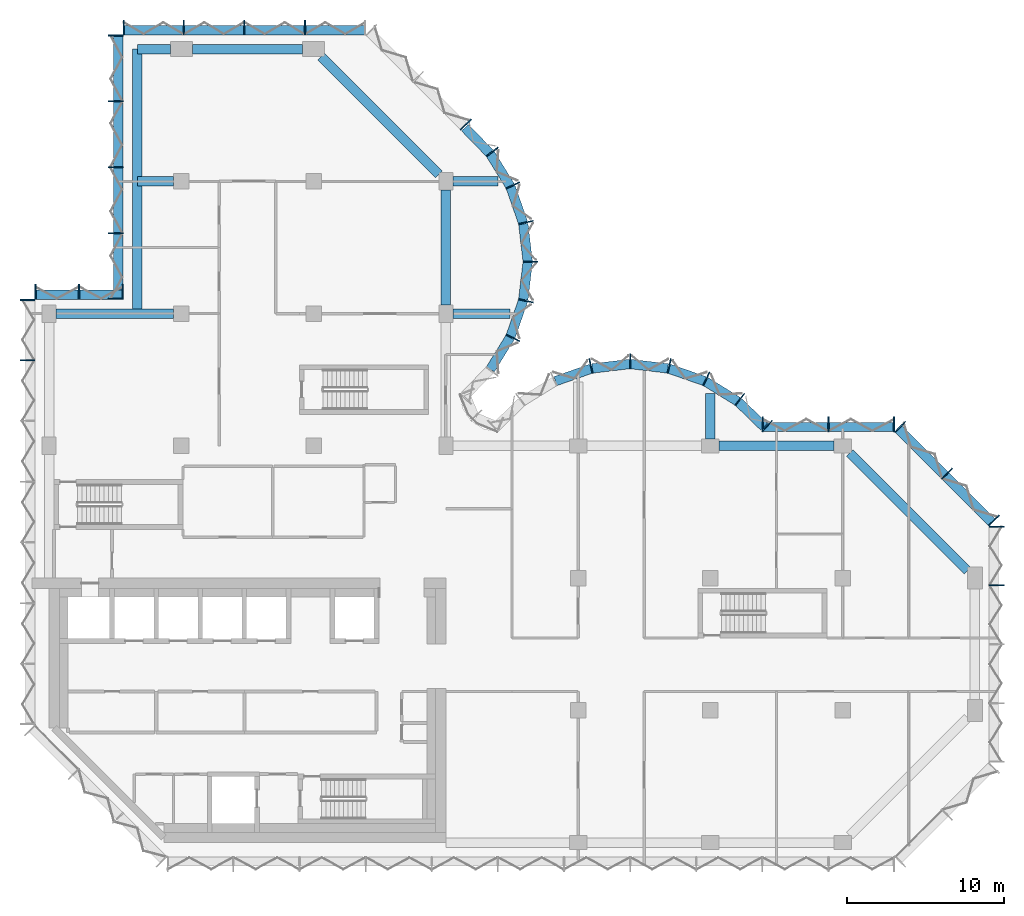
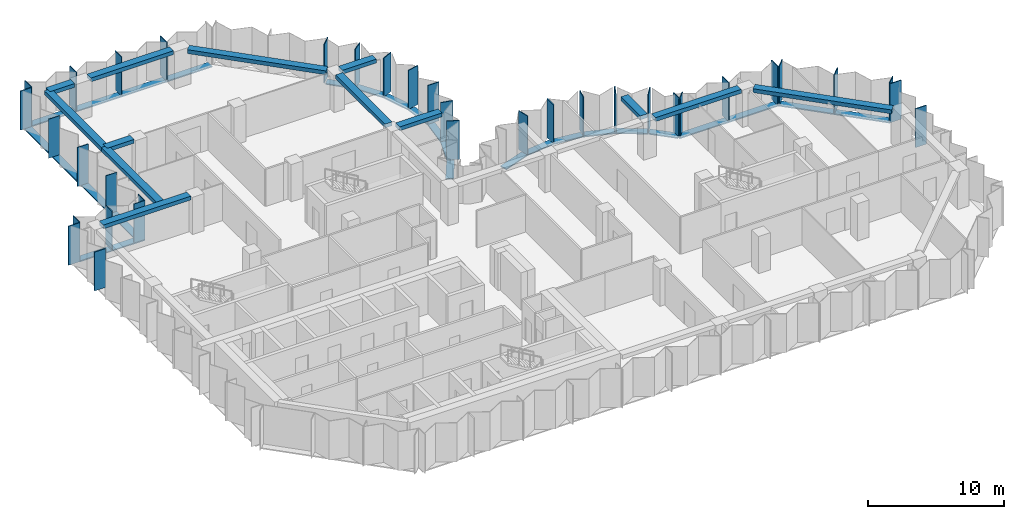
# One storey, part 2 of 10: 53 members, 13 beams, 9 elements without a shape of their own.
"""IFC4 building model written with IfcOpenShell, lengths in metres."""

from ifc_helpers import new_model, si_unit, direction, frame, origin, origin_2d, place, context, subcontext, project, spatial, rectangle, extrude, material, material_profile, profile_set, type_object, element, aggregate, save


model = new_model("IFC4")

# Units and contexts
model_context = context("Model", 3, precision=1e-05, world=origin(), true_north=direction((0.0, 1.0)))
body_context = subcontext(model_context, "Body", "Model", "MODEL_VIEW")
ifc_project = project(units=[si_unit("LENGTHUNIT", "METRE"), si_unit("AREAUNIT", "SQUARE_METRE"), si_unit("VOLUMEUNIT", "CUBIC_METRE"), si_unit("PLANEANGLEUNIT", "RADIAN"), si_unit("MASSUNIT", "GRAM", prefix="KILO")], contexts=[model_context])

# Site, building, storey
site_placement = place(None, origin())
site = spatial("IfcSite", under=ifc_project, at=site_placement, CompositionType="ELEMENT")
building_placement = place(site_placement, origin())
building = spatial("IfcBuilding", under=site, at=building_placement, Name="Brevane Broadcast Tower", CompositionType="ELEMENT")
storey_placement = place(building_placement, frame((0.0, 0.0, 177.60009765625)))
storey = spatial("IfcBuildingStorey", under=building, at=storey_placement, Name="L44", CompositionType="ELEMENT", Elevation=177.60009765625)

# Curtain wall, members
ifc_material_1 = material(Name="Aluminium 6063-T6 bronze anodised", Category="aluminium")
curtain_wall_type = type_object("IfcCurtainWallType", Name="CW-1 curtain wall", PredefinedType="NOTDEFINED", material=ifc_material_1)
curtain_wall_1_placement = place(storey_placement, origin())
curtain_wall_1 = element("IfcCurtainWall", 1, at=curtain_wall_1_placement, inside=storey, type_object=curtain_wall_type, Name="CW-1 typical tilted unit L44 east end", PredefinedType="NOTDEFINED")
ifc_material_profile_1 = material_profile(ifc_material_1, rectangle(XDim=0.949951171875, YDim=0.070068359375, at=origin_2d()), Name="RECT 70x950")
ifc_profile_set_1 = profile_set([ifc_material_profile_1], Name="Aluminium 6063-T6 bronze anodised")
member_type_1 = type_object("IfcMemberType", Name="CW-1 mullion 70x950", PredefinedType="MULLION", material=ifc_profile_set_1)
member_1_placement = place(storey_placement, frame((60.175048828125, 16.35009765625, -0.150146484375), z_axis=(0.0, 0.0, 1.0), x_axis=(-1.0, 0.0, 0.0)))
member_1 = element("IfcMember", 2, at=member_1_placement, type_object=member_type_1, Name="CW-1 mullion", PredefinedType="MULLION", context=body_context, shape_type="SweptSolid", body=[
    extrude(rectangle(XDim=0.949951171875, YDim=0.070068359375, at=origin_2d()), origin(), (0.0, 0.0, 1.0), 3.5),
])
member_2_placement = place(storey_placement, frame((60.175048828125, 20.06494140625, -0.150146484375), z_axis=(0.0, 0.0, 1.0), x_axis=(-1.0, 0.0, 0.0)))
member_2 = element("IfcMember", 3, at=member_2_placement, type_object=member_type_1, Name="CW-1 mullion", PredefinedType="MULLION", context=body_context, shape_type="SweptSolid", body=[
    extrude(rectangle(XDim=0.949951171875, YDim=0.070068359375, at=origin_2d()), origin(), (0.0, 0.0, 1.0), 3.5),
])
aggregate(curtain_wall_1, [member_1, member_2])

curtain_wall_2_placement = place(storey_placement, origin())
curtain_wall_2 = element("IfcCurtainWall", 4, at=curtain_wall_2_placement, inside=storey, type_object=curtain_wall_type, Name="CW-1 typical tilted unit L44 north-east chamfer", PredefinedType="NOTDEFINED")
member_3_placement = place(storey_placement, frame((60.01123046875, 20.460693359375, -0.150146484375), z_axis=(0.0, 0.0, 1.0), x_axis=(-0.707106781187, -0.707106781187, 0.0)))
member_3 = element("IfcMember", 5, at=member_3_placement, type_object=member_type_1, Name="CW-1 mullion", PredefinedType="MULLION", context=body_context, shape_type="SweptSolid", body=[
    extrude(rectangle(XDim=0.949951171875, YDim=0.070068359375, at=origin_2d()), origin(), (0.0, 0.0, 1.0), 3.5),
])
member_4_placement = place(storey_placement, frame((57.035888671875, 23.435791015625, -0.150146484375), z_axis=(0.0, 0.0, 1.0), x_axis=(-0.707106781187, -0.707106781187, 0.0)))
member_4 = element("IfcMember", 6, at=member_4_placement, type_object=member_type_1, Name="CW-1 mullion", PredefinedType="MULLION", context=body_context, shape_type="SweptSolid", body=[
    extrude(rectangle(XDim=0.949951171875, YDim=0.070068359375, at=origin_2d()), origin(), (0.0, 0.0, 1.0), 3.5),
])
member_5_placement = place(storey_placement, frame((54.060546875, 26.4111328125, -0.150146484375), z_axis=(0.0, 0.0, 1.0), x_axis=(-0.707106781187, -0.707106781187, 0.0)))
member_5 = element("IfcMember", 7, at=member_5_placement, type_object=member_type_1, Name="CW-1 mullion", PredefinedType="MULLION", context=body_context, shape_type="SweptSolid", body=[
    extrude(rectangle(XDim=0.949951171875, YDim=0.070068359375, at=origin_2d()), origin(), (0.0, 0.0, 1.0), 3.5),
])

curtain_wall_3_placement = place(storey_placement, origin())
curtain_wall_3 = element("IfcCurtainWall", 8, at=curtain_wall_3_placement, inside=storey, type_object=curtain_wall_type, Name="CW-1 typical tilted unit L44 east arm north face", PredefinedType="NOTDEFINED")
member_6_placement = place(storey_placement, frame((53.6650390625, 26.574951171875, -0.150146484375), z_axis=(0.0, 0.0, 1.0), x_axis=(0.0, -1.0, 0.0)))
member_6 = element("IfcMember", 9, at=member_6_placement, type_object=member_type_1, Name="CW-1 mullion", PredefinedType="MULLION", context=body_context, shape_type="SweptSolid", body=[
    extrude(rectangle(XDim=0.949951171875, YDim=0.070068359375, at=origin_2d()), origin(), (0.0, 0.0, 1.0), 3.5),
])
member_7_placement = place(storey_placement, frame((49.5, 26.574951171875, -0.150146484375), z_axis=(0.0, 0.0, 1.0), x_axis=(0.0, -1.0, 0.0)))
member_7 = element("IfcMember", 10, at=member_7_placement, type_object=member_type_1, Name="CW-1 mullion", PredefinedType="MULLION", context=body_context, shape_type="SweptSolid", body=[
    extrude(rectangle(XDim=0.949951171875, YDim=0.070068359375, at=origin_2d()), origin(), (0.0, 0.0, 1.0), 3.5),
])
member_8_placement = place(storey_placement, frame((45.3349609375, 26.574951171875, -0.150146484375), z_axis=(0.0, 0.0, 1.0), x_axis=(0.0, -1.0, 0.0)))
member_8 = element("IfcMember", 11, at=member_8_placement, type_object=member_type_1, Name="CW-1 mullion", PredefinedType="MULLION", context=body_context, shape_type="SweptSolid", body=[
    extrude(rectangle(XDim=0.949951171875, YDim=0.070068359375, at=origin_2d()), origin(), (0.0, 0.0, 1.0), 3.5),
])

curtain_wall_4_placement = place(storey_placement, origin())
curtain_wall_4 = element("IfcCurtainWall", 12, at=curtain_wall_4_placement, inside=storey, type_object=curtain_wall_type, Name="CW-1 typical tilted unit L44 east bow", PredefinedType="NOTDEFINED")
member_9_placement = place(storey_placement, frame((45.60595703125, 26.465087890625, -0.150146484375), z_axis=(0.0, 0.0, 1.0), x_axis=(-0.696812089895, -0.717253728729, 0.0)))
member_9 = element("IfcMember", 13, at=member_9_placement, type_object=member_type_1, Name="CW-1 mullion", PredefinedType="MULLION", context=body_context, shape_type="SweptSolid", body=[
    extrude(rectangle(XDim=0.949951171875, YDim=0.070068359375, at=origin_2d()), origin(), (0.0, 0.0, 1.0), 3.5),
])
member_10_placement = place(storey_placement, frame((43.8720703125, 28.1455078125, -0.150146484375), z_axis=(0.0, 0.0, 1.0), x_axis=(-0.614769698862, -0.788706673841, 0.0)))
member_10 = element("IfcMember", 14, at=member_10_placement, type_object=member_type_1, Name="CW-1 mullion", PredefinedType="MULLION", context=body_context, shape_type="SweptSolid", body=[
    extrude(rectangle(XDim=0.949951171875, YDim=0.070068359375, at=origin_2d()), origin(), (0.0, 0.0, 1.0), 3.5),
])
member_11_placement = place(storey_placement, frame((41.746826171875, 29.4580078125, -0.150146484375), z_axis=(0.0, 0.0, 1.0), x_axis=(-0.429933580394, -0.902860518823, 0.0)))
member_11 = element("IfcMember", 15, at=member_11_placement, type_object=member_type_1, Name="CW-1 mullion", PredefinedType="MULLION", context=body_context, shape_type="SweptSolid", body=[
    extrude(rectangle(XDim=0.949951171875, YDim=0.070068359375, at=origin_2d()), origin(), (0.0, 0.0, 1.0), 3.5),
])
member_12_placement = place(storey_placement, frame((39.38818359375, 30.28076171875, -0.150146484375), z_axis=(0.0, 0.0, 1.0), x_axis=(-0.224806535479, -0.974403418306, 0.0)))
member_12 = element("IfcMember", 16, at=member_12_placement, type_object=member_type_1, Name="CW-1 mullion", PredefinedType="MULLION", context=body_context, shape_type="SweptSolid", body=[
    extrude(rectangle(XDim=0.949951171875, YDim=0.070068359375, at=origin_2d()), origin(), (0.0, 0.0, 1.0), 3.5),
])
member_13_placement = place(storey_placement, frame((36.89990234375, 30.574951171875, -0.150146484375), z_axis=(0.0, 0.0, 1.0), x_axis=(0.0, -1.0, 0.0)))
member_13 = element("IfcMember", 17, at=member_13_placement, type_object=member_type_1, Name="CW-1 mullion", PredefinedType="MULLION", context=body_context, shape_type="SweptSolid", body=[
    extrude(rectangle(XDim=0.949951171875, YDim=0.070068359375, at=origin_2d()), origin(), (0.0, 0.0, 1.0), 3.5),
])
member_14_placement = place(storey_placement, frame((34.411865234375, 30.28076171875, -0.150146484375), z_axis=(0.0, 0.0, 1.0), x_axis=(0.224806535479, -0.974403418306, 0.0)))
member_14 = element("IfcMember", 18, at=member_14_placement, type_object=member_type_1, Name="CW-1 mullion", PredefinedType="MULLION", context=body_context, shape_type="SweptSolid", body=[
    extrude(rectangle(XDim=0.949951171875, YDim=0.070068359375, at=origin_2d()), origin(), (0.0, 0.0, 1.0), 3.5),
])

curtain_wall_5_placement = place(storey_placement, origin())
curtain_wall_5 = element("IfcCurtainWall", 19, at=curtain_wall_5_placement, inside=storey, type_object=curtain_wall_type, Name="CW-1 typical tilted unit L44 north bow", PredefinedType="NOTDEFINED")
member_15_placement = place(storey_placement, frame((29.4580078125, 32.05322265625, -0.150146484375), z_axis=(0.0, 0.0, 1.0), x_axis=(-0.902860518823, 0.429933580394, 0.0)))
member_15 = element("IfcMember", 20, at=member_15_placement, type_object=member_type_1, Name="CW-1 mullion", PredefinedType="MULLION", context=body_context, shape_type="SweptSolid", body=[
    extrude(rectangle(XDim=0.949951171875, YDim=0.070068359375, at=origin_2d()), origin(), (0.0, 0.0, 1.0), 3.5),
])
member_16_placement = place(storey_placement, frame((30.28076171875, 34.411865234375, -0.150146484375), z_axis=(0.0, 0.0, 1.0), x_axis=(-0.974403418306, 0.224806535479, 0.0)))
member_16 = element("IfcMember", 21, at=member_16_placement, type_object=member_type_1, Name="CW-1 mullion", PredefinedType="MULLION", context=body_context, shape_type="SweptSolid", body=[
    extrude(rectangle(XDim=0.949951171875, YDim=0.070068359375, at=origin_2d()), origin(), (0.0, 0.0, 1.0), 3.5),
])
member_17_placement = place(storey_placement, frame((30.574951171875, 36.89990234375, -0.150146484375), z_axis=(0.0, 0.0, 1.0), x_axis=(-1.0, 0.0, 0.0)))
member_17 = element("IfcMember", 22, at=member_17_placement, type_object=member_type_1, Name="CW-1 mullion", PredefinedType="MULLION", context=body_context, shape_type="SweptSolid", body=[
    extrude(rectangle(XDim=0.949951171875, YDim=0.070068359375, at=origin_2d()), origin(), (0.0, 0.0, 1.0), 3.5),
])
member_18_placement = place(storey_placement, frame((30.28076171875, 39.38818359375, -0.150146484375), z_axis=(0.0, 0.0, 1.0), x_axis=(-0.974403418306, -0.224806535479, 0.0)))
member_18 = element("IfcMember", 23, at=member_18_placement, type_object=member_type_1, Name="CW-1 mullion", PredefinedType="MULLION", context=body_context, shape_type="SweptSolid", body=[
    extrude(rectangle(XDim=0.949951171875, YDim=0.070068359375, at=origin_2d()), origin(), (0.0, 0.0, 1.0), 3.5),
])
member_19_placement = place(storey_placement, frame((29.4580078125, 41.746826171875, -0.150146484375), z_axis=(0.0, 0.0, 1.0), x_axis=(-0.902860518823, -0.429933580394, 0.0)))
member_19 = element("IfcMember", 24, at=member_19_placement, type_object=member_type_1, Name="CW-1 mullion", PredefinedType="MULLION", context=body_context, shape_type="SweptSolid", body=[
    extrude(rectangle(XDim=0.949951171875, YDim=0.070068359375, at=origin_2d()), origin(), (0.0, 0.0, 1.0), 3.5),
])
member_20_placement = place(storey_placement, frame((28.1455078125, 43.8720703125, -0.150146484375), z_axis=(0.0, 0.0, 1.0), x_axis=(-0.788706673841, -0.614769698862, 0.0)))
member_20 = element("IfcMember", 25, at=member_20_placement, type_object=member_type_1, Name="CW-1 mullion", PredefinedType="MULLION", context=body_context, shape_type="SweptSolid", body=[
    extrude(rectangle(XDim=0.949951171875, YDim=0.070068359375, at=origin_2d()), origin(), (0.0, 0.0, 1.0), 3.5),
])
member_21_placement = place(storey_placement, frame((26.465087890625, 45.60595703125, -0.150146484375), z_axis=(0.0, 0.0, 1.0), x_axis=(-0.717253728729, -0.696812089895, 0.0)))
member_21 = element("IfcMember", 26, at=member_21_placement, type_object=member_type_1, Name="CW-1 mullion", PredefinedType="MULLION", context=body_context, shape_type="SweptSolid", body=[
    extrude(rectangle(XDim=0.949951171875, YDim=0.070068359375, at=origin_2d()), origin(), (0.0, 0.0, 1.0), 3.5),
])

curtain_wall_6_placement = place(storey_placement, origin())
curtain_wall_6 = element("IfcCurtainWall", 27, at=curtain_wall_6_placement, inside=storey, type_object=curtain_wall_type, Name="CW-1 typical tilted unit L44 north end", PredefinedType="NOTDEFINED")
member_22_placement = place(storey_placement, frame((16.25, 51.77490234375, -0.150146484375), z_axis=(0.0, 0.0, 1.0), x_axis=(0.0, -1.0, 0.0)))
member_22 = element("IfcMember", 28, at=member_22_placement, type_object=member_type_1, Name="CW-1 mullion", PredefinedType="MULLION", context=body_context, shape_type="SweptSolid", body=[
    extrude(rectangle(XDim=0.949951171875, YDim=0.070068359375, at=origin_2d()), origin(), (0.0, 0.0, 1.0), 3.5),
])
member_23_placement = place(storey_placement, frame((12.39990234375, 51.77490234375, -0.150146484375), z_axis=(0.0, 0.0, 1.0), x_axis=(0.0, -1.0, 0.0)))
member_23 = element("IfcMember", 29, at=member_23_placement, type_object=member_type_1, Name="CW-1 mullion", PredefinedType="MULLION", context=body_context, shape_type="SweptSolid", body=[
    extrude(rectangle(XDim=0.949951171875, YDim=0.070068359375, at=origin_2d()), origin(), (0.0, 0.0, 1.0), 3.5),
])
member_24_placement = place(storey_placement, frame((8.550048828125, 51.77490234375, -0.150146484375), z_axis=(0.0, 0.0, 1.0), x_axis=(0.0, -1.0, 0.0)))
member_24 = element("IfcMember", 30, at=member_24_placement, type_object=member_type_1, Name="CW-1 mullion", PredefinedType="MULLION", context=body_context, shape_type="SweptSolid", body=[
    extrude(rectangle(XDim=0.949951171875, YDim=0.070068359375, at=origin_2d()), origin(), (0.0, 0.0, 1.0), 3.5),
])
member_25_placement = place(storey_placement, frame((4.735107421875, 51.77490234375, -0.150146484375), z_axis=(0.0, 0.0, 1.0), x_axis=(0.0, -1.0, 0.0)))
member_25 = element("IfcMember", 31, at=member_25_placement, type_object=member_type_1, Name="CW-1 mullion", PredefinedType="MULLION", context=body_context, shape_type="SweptSolid", body=[
    extrude(rectangle(XDim=0.949951171875, YDim=0.070068359375, at=origin_2d()), origin(), (0.0, 0.0, 1.0), 3.5),
])

curtain_wall_7_placement = place(storey_placement, origin())
curtain_wall_7 = element("IfcCurtainWall", 32, at=curtain_wall_7_placement, inside=storey, type_object=curtain_wall_type, Name="CW-1 typical tilted unit L44 north wing west face, lower block", PredefinedType="NOTDEFINED")
member_26_placement = place(storey_placement, frame((4.22509765625, 51.264892578125, -0.150146484375), z_axis=(0.0, 0.0, 1.0), x_axis=(1.0, 0.0, 0.0)))
member_26 = element("IfcMember", 33, at=member_26_placement, type_object=member_type_1, Name="CW-1 mullion", PredefinedType="MULLION", context=body_context, shape_type="SweptSolid", body=[
    extrude(rectangle(XDim=0.949951171875, YDim=0.070068359375, at=origin_2d()), origin(), (0.0, 0.0, 1.0), 3.5),
])
member_27_placement = place(storey_placement, frame((4.22509765625, 47.10009765625, -0.150146484375), z_axis=(0.0, 0.0, 1.0), x_axis=(1.0, 0.0, 0.0)))
member_27 = element("IfcMember", 34, at=member_27_placement, type_object=member_type_1, Name="CW-1 mullion", PredefinedType="MULLION", context=body_context, shape_type="SweptSolid", body=[
    extrude(rectangle(XDim=0.949951171875, YDim=0.070068359375, at=origin_2d()), origin(), (0.0, 0.0, 1.0), 3.5),
])
member_28_placement = place(storey_placement, frame((4.22509765625, 42.89990234375, -0.150146484375), z_axis=(0.0, 0.0, 1.0), x_axis=(1.0, 0.0, 0.0)))
member_28 = element("IfcMember", 35, at=member_28_placement, type_object=member_type_1, Name="CW-1 mullion", PredefinedType="MULLION", context=body_context, shape_type="SweptSolid", body=[
    extrude(rectangle(XDim=0.949951171875, YDim=0.070068359375, at=origin_2d()), origin(), (0.0, 0.0, 1.0), 3.5),
])
member_29_placement = place(storey_placement, frame((4.22509765625, 38.699951171875, -0.150146484375), z_axis=(0.0, 0.0, 1.0), x_axis=(1.0, 0.0, 0.0)))
member_29 = element("IfcMember", 36, at=member_29_placement, type_object=member_type_1, Name="CW-1 mullion", PredefinedType="MULLION", context=body_context, shape_type="SweptSolid", body=[
    extrude(rectangle(XDim=0.949951171875, YDim=0.070068359375, at=origin_2d()), origin(), (0.0, 0.0, 1.0), 3.5),
])
member_30_placement = place(storey_placement, frame((4.22509765625, 34.534912109375, -0.150146484375), z_axis=(0.0, 0.0, 1.0), x_axis=(1.0, 0.0, 0.0)))
member_30 = element("IfcMember", 37, at=member_30_placement, type_object=member_type_1, Name="CW-1 mullion", PredefinedType="MULLION", context=body_context, shape_type="SweptSolid", body=[
    extrude(rectangle(XDim=0.949951171875, YDim=0.070068359375, at=origin_2d()), origin(), (0.0, 0.0, 1.0), 3.5),
])

curtain_wall_8_placement = place(storey_placement, origin())
curtain_wall_8 = element("IfcCurtainWall", 38, at=curtain_wall_8_placement, inside=storey, type_object=curtain_wall_type, Name="CW-1 typical tilted unit L44 north wing west return, lower block", PredefinedType="NOTDEFINED")
member_31_placement = place(storey_placement, frame((4.6650390625, 34.97509765625, -0.150146484375), z_axis=(0.0, 0.0, 1.0), x_axis=(0.0, -1.0, 0.0)))
member_31 = element("IfcMember", 39, at=member_31_placement, type_object=member_type_1, Name="CW-1 mullion", PredefinedType="MULLION", context=body_context, shape_type="SweptSolid", body=[
    extrude(rectangle(XDim=0.949951171875, YDim=0.070068359375, at=origin_2d()), origin(), (0.0, 0.0, 1.0), 3.5),
])
member_32_placement = place(storey_placement, frame((1.89990234375, 34.97509765625, -0.150146484375), z_axis=(0.0, 0.0, 1.0), x_axis=(0.0, -1.0, 0.0)))
member_32 = element("IfcMember", 40, at=member_32_placement, type_object=member_type_1, Name="CW-1 mullion", PredefinedType="MULLION", context=body_context, shape_type="SweptSolid", body=[
    extrude(rectangle(XDim=0.949951171875, YDim=0.070068359375, at=origin_2d()), origin(), (0.0, 0.0, 1.0), 3.5),
])
member_33_placement = place(storey_placement, frame((-0.864990234375, 34.97509765625, -0.150146484375), z_axis=(0.0, 0.0, 1.0), x_axis=(0.0, -1.0, 0.0)))
member_33 = element("IfcMember", 41, at=member_33_placement, type_object=member_type_1, Name="CW-1 mullion", PredefinedType="MULLION", context=body_context, shape_type="SweptSolid", body=[
    extrude(rectangle(XDim=0.949951171875, YDim=0.070068359375, at=origin_2d()), origin(), (0.0, 0.0, 1.0), 3.5),
])

curtain_wall_9_placement = place(storey_placement, origin())
curtain_wall_9 = element("IfcCurtainWall", 42, at=curtain_wall_9_placement, inside=storey, type_object=curtain_wall_type, Name="CW-1 typical tilted unit L44 west face", PredefinedType="NOTDEFINED")
member_34_placement = place(storey_placement, frame((-1.375, 34.465087890625, -0.150146484375), z_axis=(0.0, 0.0, 1.0), x_axis=(1.0, 0.0, 0.0)))
member_34 = element("IfcMember", 43, at=member_34_placement, type_object=member_type_1, Name="CW-1 mullion", PredefinedType="MULLION", context=body_context, shape_type="SweptSolid", body=[
    extrude(rectangle(XDim=0.949951171875, YDim=0.070068359375, at=origin_2d()), origin(), (0.0, 0.0, 1.0), 3.5),
])
member_35_placement = place(storey_placement, frame((-1.375, 30.642822265625, -0.150146484375), z_axis=(0.0, 0.0, 1.0), x_axis=(1.0, 0.0, 0.0)))
member_35 = element("IfcMember", 44, at=member_35_placement, type_object=member_type_1, Name="CW-1 mullion", PredefinedType="MULLION", context=body_context, shape_type="SweptSolid", body=[
    extrude(rectangle(XDim=0.949951171875, YDim=0.070068359375, at=origin_2d()), origin(), (0.0, 0.0, 1.0), 3.5),
])
aggregate(curtain_wall_9, [member_34, member_35])

# Member
ifc_material_profile_2 = material_profile(ifc_material_1, rectangle(XDim=0.60009765625, YDim=0.10009765625, at=origin_2d()), Name="RECT 100x600")
ifc_profile_set_2 = profile_set([ifc_material_profile_2], Name="Aluminium 6063-T6 bronze anodised")
member_type_2 = type_object("IfcMemberType", Name="CW-1 transom 100x600", PredefinedType="USERDEFINED", material=ifc_profile_set_2)
member_36_placement = place(storey_placement, frame((59.912109375, 20.31201171875, -0.2001953125), z_axis=(-0.707106781187, 0.707106781187, 0.0), x_axis=(-0.707106781187, -0.707106781187, 0.0)))
member_36 = element("IfcMember", 45, at=member_36_placement, type_object=member_type_2, Name="CW-1 transom", ObjectType="TRANSOM", PredefinedType="USERDEFINED", context=body_context, shape_type="SweptSolid", body=[
    extrude(rectangle(XDim=0.60009765625, YDim=0.10009765625, at=origin_2d()), origin(), (0.0, 0.0, 1.0), 8.4853515625),
])

aggregate(curtain_wall_2, [member_3, member_4, member_5, member_36])

member_37_placement = place(storey_placement, frame((53.699951171875, 26.39990234375, -0.2001953125), z_axis=(-1.0, 0.0, 0.0), x_axis=(0.0, -1.0, 0.0)))
member_37 = element("IfcMember", 46, at=member_37_placement, type_object=member_type_2, Name="CW-1 transom", ObjectType="TRANSOM", PredefinedType="USERDEFINED", context=body_context, shape_type="SweptSolid", body=[
    extrude(rectangle(XDim=0.60009765625, YDim=0.10009765625, at=origin_2d()), origin(), (0.0, 0.0, 1.0), 8.39990234375),
])

aggregate(curtain_wall_3, [member_6, member_7, member_8, member_37])

member_38_placement = place(storey_placement, frame((45.412841796875, 26.407958984375, -0.2001953125), z_axis=(-0.71724215871, 0.696823999134, 0.0), x_axis=(-0.696823999134, -0.71724215871, 0.0)))
member_38 = element("IfcMember", 47, at=member_38_placement, type_object=member_type_2, Name="CW-1 transom", ObjectType="TRANSOM", PredefinedType="USERDEFINED", context=body_context, shape_type="SweptSolid", body=[
    extrude(rectangle(XDim=0.60009765625, YDim=0.10009765625, at=origin_2d()), origin(), (0.0, 0.0, 1.0), 2.247802734375),
])

member_39_placement = place(storey_placement, frame((43.7421875, 28.023193359375, -0.2001953125), z_axis=(-0.850810063131, 0.525473345162, 0.0), x_axis=(-0.525473345162, -0.850810063131, 0.0)))
member_39 = element("IfcMember", 48, at=member_39_placement, type_object=member_type_2, Name="CW-1 transom", ObjectType="TRANSOM", PredefinedType="USERDEFINED", context=body_context, shape_type="SweptSolid", body=[
    extrude(rectangle(XDim=0.60009765625, YDim=0.10009765625, at=origin_2d()), origin(), (0.0, 0.0, 1.0), 2.39453125),
])

member_40_placement = place(storey_placement, frame((41.63623046875, 29.314208984375, -0.2001953125), z_axis=(-0.944197969542, 0.329378497041, 0.0), x_axis=(-0.329378497041, -0.944197969542, 0.0)))
member_40 = element("IfcMember", 49, at=member_40_placement, type_object=member_type_2, Name="CW-1 transom", ObjectType="TRANSOM", PredefinedType="USERDEFINED", context=body_context, shape_type="SweptSolid", body=[
    extrude(rectangle(XDim=0.60009765625, YDim=0.10009765625, at=origin_2d()), origin(), (0.0, 0.0, 1.0), 2.394775390625),
])

member_41_placement = place(storey_placement, frame((39.30029296875, 30.117431640625, -0.2001953125), z_axis=(-0.993062061831, 0.117591417, 0.0), x_axis=(-0.117591417, -0.993062061831, 0.0)))
member_41 = element("IfcMember", 50, at=member_41_placement, type_object=member_type_2, Name="CW-1 transom", ObjectType="TRANSOM", PredefinedType="USERDEFINED", context=body_context, shape_type="SweptSolid", body=[
    extrude(rectangle(XDim=0.60009765625, YDim=0.10009765625, at=origin_2d()), origin(), (0.0, 0.0, 1.0), 2.39794921875),
])

member_42_placement = place(storey_placement, frame((36.880859375, 30.3994140625, -0.2001953125), z_axis=(-0.993060653805, -0.117603307202, 0.0), x_axis=(0.117603307202, -0.993060653805, 0.0)))
member_42 = element("IfcMember", 51, at=member_42_placement, type_object=member_type_2, Name="CW-1 transom", ObjectType="TRANSOM", PredefinedType="USERDEFINED", context=body_context, shape_type="SweptSolid", body=[
    extrude(rectangle(XDim=0.60009765625, YDim=0.10009765625, at=origin_2d()), origin(), (0.0, 0.0, 1.0), 2.397705078125),
])

member_43_placement = place(storey_placement, frame((34.425048828125, 30.10302734375, -0.2001953125), z_axis=(-0.944197969542, -0.329378497041, 0.0), x_axis=(0.329378497041, -0.944197969542, 0.0)))
member_43 = element("IfcMember", 52, at=member_43_placement, type_object=member_type_2, Name="CW-1 transom", ObjectType="TRANSOM", PredefinedType="USERDEFINED", context=body_context, shape_type="SweptSolid", body=[
    extrude(rectangle(XDim=0.60009765625, YDim=0.10009765625, at=origin_2d()), origin(), (0.0, 0.0, 1.0), 2.394775390625),
])

aggregate(curtain_wall_4, [member_9, member_10, member_11, member_12, member_13, member_14, member_38, member_39, member_40, member_41, member_42, member_43])

member_44_placement = place(storey_placement, frame((28.023193359375, 30.0576171875, -0.2001953125), z_axis=(0.525427766759, 0.850838211365, 0.0), x_axis=(-0.850838211365, 0.525427766759, 0.0)))
member_44 = element("IfcMember", 53, at=member_44_placement, type_object=member_type_2, Name="CW-1 transom", ObjectType="TRANSOM", PredefinedType="USERDEFINED", context=body_context, shape_type="SweptSolid", body=[
    extrude(rectangle(XDim=0.60009765625, YDim=0.10009765625, at=origin_2d()), origin(), (0.0, 0.0, 1.0), 2.394775390625),
])

member_45_placement = place(storey_placement, frame((29.314208984375, 32.163818359375, -0.2001953125), z_axis=(0.329378497041, 0.944197969542, 0.0), x_axis=(-0.944197969542, 0.329378497041, 0.0)))
member_45 = element("IfcMember", 54, at=member_45_placement, type_object=member_type_2, Name="CW-1 transom", ObjectType="TRANSOM", PredefinedType="USERDEFINED", context=body_context, shape_type="SweptSolid", body=[
    extrude(rectangle(XDim=0.60009765625, YDim=0.10009765625, at=origin_2d()), origin(), (0.0, 0.0, 1.0), 2.394775390625),
])

member_46_placement = place(storey_placement, frame((30.117431640625, 34.499755859375, -0.2001953125), z_axis=(0.117603307202, 0.993060653805, 0.0), x_axis=(-0.993060653805, 0.117603307202, 0.0)))
member_46 = element("IfcMember", 55, at=member_46_placement, type_object=member_type_2, Name="CW-1 transom", ObjectType="TRANSOM", PredefinedType="USERDEFINED", context=body_context, shape_type="SweptSolid", body=[
    extrude(rectangle(XDim=0.60009765625, YDim=0.10009765625, at=origin_2d()), origin(), (0.0, 0.0, 1.0), 2.397705078125),
])

member_47_placement = place(storey_placement, frame((30.3994140625, 36.9189453125, -0.2001953125), z_axis=(-0.117591417, 0.993062061831, 0.0), x_axis=(-0.993062061831, -0.117591417, 0.0)))
member_47 = element("IfcMember", 56, at=member_47_placement, type_object=member_type_2, Name="CW-1 transom", ObjectType="TRANSOM", PredefinedType="USERDEFINED", context=body_context, shape_type="SweptSolid", body=[
    extrude(rectangle(XDim=0.60009765625, YDim=0.10009765625, at=origin_2d()), origin(), (0.0, 0.0, 1.0), 2.39794921875),
])

member_48_placement = place(storey_placement, frame((30.10302734375, 39.375, -0.2001953125), z_axis=(-0.329378497041, 0.944197969542, 0.0), x_axis=(-0.944197969542, -0.329378497041, 0.0)))
member_48 = element("IfcMember", 57, at=member_48_placement, type_object=member_type_2, Name="CW-1 transom", ObjectType="TRANSOM", PredefinedType="USERDEFINED", context=body_context, shape_type="SweptSolid", body=[
    extrude(rectangle(XDim=0.60009765625, YDim=0.10009765625, at=origin_2d()), origin(), (0.0, 0.0, 1.0), 2.394775390625),
])

member_49_placement = place(storey_placement, frame((29.281494140625, 41.704833984375, -0.2001953125), z_axis=(-0.525473345162, 0.850810063131, 0.0), x_axis=(-0.850810063131, -0.525473345162, 0.0)))
member_49 = element("IfcMember", 58, at=member_49_placement, type_object=member_type_2, Name="CW-1 transom", ObjectType="TRANSOM", PredefinedType="USERDEFINED", context=body_context, shape_type="SweptSolid", body=[
    extrude(rectangle(XDim=0.60009765625, YDim=0.10009765625, at=origin_2d()), origin(), (0.0, 0.0, 1.0), 2.39453125),
])

member_50_placement = place(storey_placement, frame((27.974365234375, 43.800537109375, -0.2001953125), z_axis=(-0.696823999134, 0.71724215871, 0.0), x_axis=(-0.71724215871, -0.696823999134, 0.0)))
member_50 = element("IfcMember", 59, at=member_50_placement, type_object=member_type_2, Name="CW-1 transom", ObjectType="TRANSOM", PredefinedType="USERDEFINED", context=body_context, shape_type="SweptSolid", body=[
    extrude(rectangle(XDim=0.60009765625, YDim=0.10009765625, at=origin_2d()), origin(), (0.0, 0.0, 1.0), 2.247802734375),
])

aggregate(curtain_wall_5, [member_15, member_16, member_17, member_18, member_19, member_20, member_21, member_44, member_45, member_46, member_47, member_48, member_49, member_50])

member_51_placement = place(storey_placement, frame((20.10009765625, 51.60009765625, -0.2001953125), z_axis=(-1.0, 0.0, 0.0), x_axis=(0.0, -1.0, 0.0)))
member_51 = element("IfcMember", 60, at=member_51_placement, type_object=member_type_2, Name="CW-1 transom", ObjectType="TRANSOM", PredefinedType="USERDEFINED", context=body_context, shape_type="SweptSolid", body=[
    extrude(rectangle(XDim=0.60009765625, YDim=0.10009765625, at=origin_2d()), origin(), (0.0, 0.0, 1.0), 15.400146484375),
])

aggregate(curtain_wall_6, [member_22, member_23, member_24, member_25, member_51])

member_52_placement = place(storey_placement, frame((4.39990234375, 51.300048828125, -0.2001953125), z_axis=(0.0, -1.0, 0.0), x_axis=(1.0, 0.0, 0.0)))
member_52 = element("IfcMember", 61, at=member_52_placement, type_object=member_type_2, Name="CW-1 transom", ObjectType="TRANSOM", PredefinedType="USERDEFINED", context=body_context, shape_type="SweptSolid", body=[
    extrude(rectangle(XDim=0.60009765625, YDim=0.10009765625, at=origin_2d()), origin(), (0.0, 0.0, 1.0), 16.800048828125),
])

aggregate(curtain_wall_7, [member_26, member_27, member_28, member_29, member_30, member_52])

member_53_placement = place(storey_placement, frame((4.699951171875, 34.800048828125, -0.2001953125), z_axis=(-1.0, 0.0, 0.0), x_axis=(0.0, -1.0, 0.0)))
member_53 = element("IfcMember", 62, at=member_53_placement, type_object=member_type_2, Name="CW-1 transom", ObjectType="TRANSOM", PredefinedType="USERDEFINED", context=body_context, shape_type="SweptSolid", body=[
    extrude(rectangle(XDim=0.60009765625, YDim=0.10009765625, at=origin_2d()), origin(), (0.0, 0.0, 1.0), 5.599853515625),
])

aggregate(curtain_wall_8, [member_31, member_32, member_33, member_53])

# Beams
ifc_material_2 = material(Name="Concrete C40/50", Category="concrete")
ifc_material_profile_3 = material_profile(ifc_material_2, rectangle(XDim=0.60009765625, YDim=0.35009765625, at=origin_2d()), Name="RC 600x350")
ifc_profile_set_3 = profile_set([ifc_material_profile_3], Name="Concrete C40/50")
beam_type_1 = type_object("IfcBeamType", Name="RC BRACKET BEAM 600x350 C40/50", PredefinedType="BEAM", material=ifc_profile_set_3)
beam_1_placement = place(storey_placement, frame((25.64990234375, 33.60009765625, 3.1748046875), z_axis=(1.0, 0.0, 0.0), x_axis=(0.0, 1.0, 0.0)))
element("IfcBeam", 63, at=beam_1_placement, inside=storey, type_object=beam_type_1, Name="EB2 L44-1", PredefinedType="BEAM", context=body_context, shape_type="SweptSolid", body=[
    extrude(rectangle(XDim=0.60009765625, YDim=0.35009765625, at=origin_2d()), origin(), (0.0, 0.0, 1.0), 3.612060546875),
])
for number, where, z_axis, x_axis, name in (
    (64, (25.64990234375, 42.0, 3.1748046875), (1.0, 0.0, 0.0), (0.0, 1.0, 0.0), "EB2 L44-2"),
    (65, (42.0, 25.64990234375, 3.1748046875), (0.0, 1.0, 0.0), (-1.0, 0.0, 0.0), "EB2 L44-4"),
):
    element("IfcBeam", number, at=place(storey_placement, frame(where, z_axis=z_axis, x_axis=x_axis)), inside=storey, type_object=beam_type_1, Name=name, PredefinedType="BEAM", context=body_context, shape_type="SweptSolid", body=[
        extrude(rectangle(XDim=0.60009765625, YDim=0.35009765625, at=origin_2d()), origin(), (0.0, 0.0, 1.0), 2.861572265625),
    ])
beam_2_placement = place(storey_placement, frame((7.89990234375, 42.0, 3.1748046875), z_axis=(-1.0, 0.0, 0.0), x_axis=(0.0, -1.0, 0.0)))
element("IfcBeam", 66, at=beam_2_placement, inside=storey, type_object=beam_type_1, Name="EB2 L44-5", PredefinedType="BEAM", context=body_context, shape_type="SweptSolid", body=[
    extrude(rectangle(XDim=0.60009765625, YDim=0.35009765625, at=origin_2d()), origin(), (0.0, 0.0, 1.0), 2.2998046875),
])
ifc_material_profile_4 = material_profile(ifc_material_2, rectangle(XDim=0.60009765625, YDim=0.35009765625, at=origin_2d()), Name="RC 600x350")
ifc_profile_set_4 = profile_set([ifc_material_profile_4], Name="Concrete C40/50")
beam_type_2 = type_object("IfcBeamType", Name="RC SPANDREL BEAM 600x350 C40/50", PredefinedType="SPANDREL", material=ifc_profile_set_4)
beam_3_placement = place(storey_placement, frame((58.324951171875, 17.27490234375, 3.1748046875), z_axis=(-0.707095233664, 0.707118328521, 0.0), x_axis=(-0.707118328521, -0.707095233664, 0.0)))
element("IfcBeam", 67, at=beam_3_placement, inside=storey, type_object=beam_type_2, Name="EB1 L44-6", PredefinedType="SPANDREL", context=body_context, shape_type="SweptSolid", body=[
    extrude(rectangle(XDim=0.60009765625, YDim=0.35009765625, at=origin_2d()), origin(), (0.0, 0.0, 1.0), 10.5712890625),
])
for number, where, z_axis, x_axis, name in (
    (68, (49.85009765625, 25.199951171875, 3.1748046875), (-1.0, 0.0, 0.0), (0.0, -1.0, 0.0), "EB1 L44-7"),
    (69, (25.199951171875, 34.14990234375, 3.1748046875), (0.0, 1.0, 0.0), (-1.0, 0.0, 0.0), "EB1 L44-11"),
):
    element("IfcBeam", number, at=place(storey_placement, frame(where, z_axis=z_axis, x_axis=x_axis)), inside=storey, type_object=beam_type_2, Name=name, PredefinedType="SPANDREL", context=body_context, shape_type="SweptSolid", body=[
        extrude(rectangle(XDim=0.60009765625, YDim=0.35009765625, at=origin_2d()), origin(), (0.0, 0.0, 1.0), 7.300048828125),
    ])
beam_4_placement = place(storey_placement, frame((24.75, 42.449951171875, 3.1748046875), z_axis=(-0.707106781187, 0.707106781187, 0.0), x_axis=(-0.707106781187, -0.707106781187, 0.0)))
element("IfcBeam", 70, at=beam_4_placement, inside=storey, type_object=beam_type_2, Name="EB1 L44-12", PredefinedType="SPANDREL", context=body_context, shape_type="SweptSolid", body=[
    extrude(rectangle(XDim=0.60009765625, YDim=0.35009765625, at=origin_2d()), origin(), (0.0, 0.0, 1.0), 10.5712890625),
])
beam_5_placement = place(storey_placement, frame((16.10009765625, 50.39990234375, 3.1748046875), z_axis=(-1.0, 0.0, 0.0), x_axis=(0.0, -1.0, 0.0)))
element("IfcBeam", 71, at=beam_5_placement, inside=storey, type_object=beam_type_2, Name="EB1 L44-13", PredefinedType="SPANDREL", context=body_context, shape_type="SweptSolid", body=[
    extrude(rectangle(XDim=0.60009765625, YDim=0.35009765625, at=origin_2d()), origin(), (0.0, 0.0, 1.0), 7.0),
])
beam_6_placement = place(storey_placement, frame((0.449951171875, 33.60009765625, 3.1748046875), z_axis=(1.0, 0.0, 0.0), x_axis=(0.0, 1.0, 0.0)))
element("IfcBeam", 72, at=beam_6_placement, inside=storey, type_object=beam_type_2, Name="EB1 L44-16", PredefinedType="SPANDREL", context=body_context, shape_type="SweptSolid", body=[
    extrude(rectangle(XDim=0.60009765625, YDim=0.35009765625, at=origin_2d()), origin(), (0.0, 0.0, 1.0), 7.449951171875),
])
for number, where, z_axis, x_axis, name in (
    (73, (5.60009765625, 33.60009765625, 3.1748046875), (0.0, 1.0, 0.0), (-1.0, 0.0, 0.0), "EB1 L44-17"),
    (74, (5.60009765625, 42.0, 3.1748046875), (0.0, 1.0, 0.0), (-1.0, 0.0, 0.0), "EB1 L44-18"),
):
    element("IfcBeam", number, at=place(storey_placement, frame(where, z_axis=z_axis, x_axis=x_axis)), inside=storey, type_object=beam_type_2, Name=name, PredefinedType="SPANDREL", context=body_context, shape_type="SweptSolid", body=[
        extrude(rectangle(XDim=0.60009765625, YDim=0.35009765625, at=origin_2d()), origin(), (0.0, 0.0, 1.0), 8.39990234375),
    ])
beam_7_placement = place(storey_placement, frame((5.60009765625, 50.39990234375, 3.1748046875), z_axis=(1.0, 0.0, 0.0), x_axis=(0.0, 1.0, 0.0)))
element("IfcBeam", 75, at=beam_7_placement, inside=storey, type_object=beam_type_2, Name="EB1 L44-19", PredefinedType="SPANDREL", context=body_context, shape_type="SweptSolid", body=[
    extrude(rectangle(XDim=0.60009765625, YDim=0.35009765625, at=origin_2d()), origin(), (0.0, 0.0, 1.0), 2.099853515625),
])

save(model, "model.ifc")
